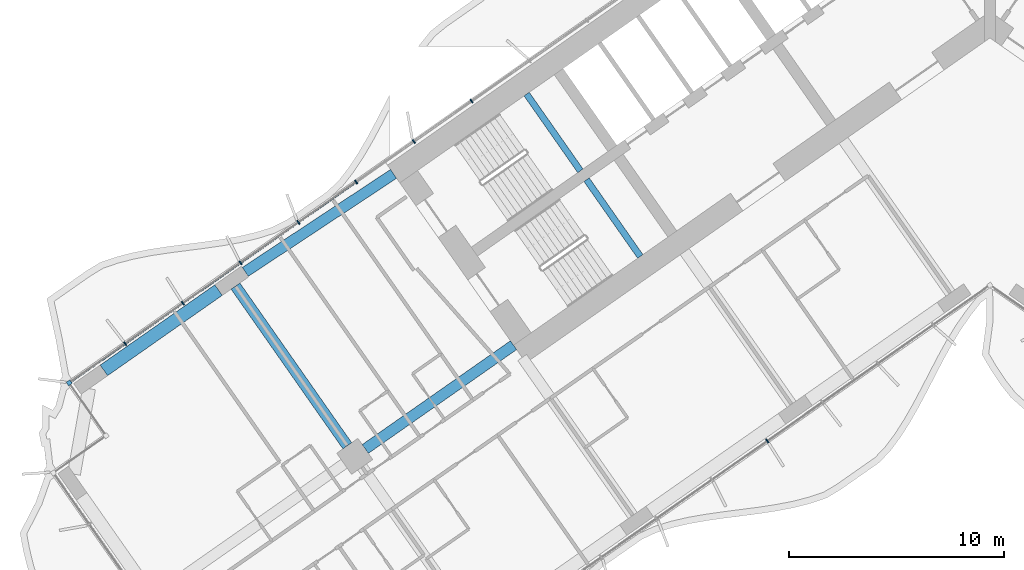
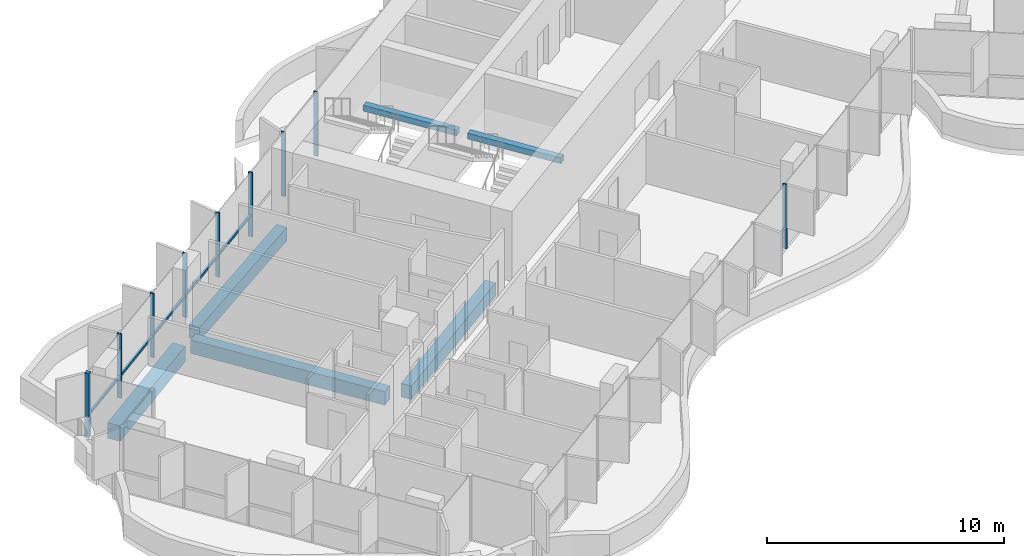
# One storey, part 4 of 24: 10 members, 6 beams, 2 elements without a shape of their own.
"""IFC4 building model written with IfcOpenShell, lengths in metres."""

from ifc_helpers import new_model, si_unit, direction, frame, origin, origin_2d, place, context, subcontext, project, spatial, rectangle, extrude, material, material_profile, profile_set, type_object, element, aggregate, save


model = new_model("IFC4")

# Units and contexts
model_context = context("Model", 3, precision=1e-05, world=origin(), true_north=direction((0.0, 1.0)))
body_context = subcontext(model_context, "Body", "Model", "MODEL_VIEW")
ifc_project = project(units=[si_unit("LENGTHUNIT", "METRE"), si_unit("AREAUNIT", "SQUARE_METRE"), si_unit("VOLUMEUNIT", "CUBIC_METRE"), si_unit("PLANEANGLEUNIT", "RADIAN"), si_unit("MASSUNIT", "GRAM", prefix="KILO")], contexts=[model_context])

# Site, building, storey
site_placement = place(None, origin())
site = spatial("IfcSite", under=ifc_project, at=site_placement, CompositionType="ELEMENT")
building_placement = place(site_placement, origin())
building = spatial("IfcBuilding", under=site, at=building_placement, Name="Tel Ilan Convention Tower", CompositionType="ELEMENT")
storey_placement = place(building_placement, frame((0.0, 0.0, 90.5)))
storey = spatial("IfcBuildingStorey", under=building, at=storey_placement, Name="L18", CompositionType="ELEMENT", Elevation=90.5)

# Beams
ifc_material_1 = material(Name="Concrete C40/50", Category="concrete")
ifc_material_profile_1 = material_profile(ifc_material_1, rectangle(XDim=0.5, YDim=0.699951171875, at=origin_2d()), Name="RC 500x700")
ifc_profile_set_1 = profile_set([ifc_material_profile_1], Name="Concrete C40/50")
beam_type_1 = type_object("IfcBeamType", Name="Beam RC 500x700 Concrete C40/50", PredefinedType="BEAM", material=ifc_profile_set_1)
beam_1_placement = place(storey_placement, frame((-34.570556640625, -12.08447265625, -0.6298828125), z_axis=(0.834273603487, 0.551350663847, 0.0), x_axis=(-0.551350663847, 0.834273603487, 0.0)))
element("IfcBeam", 1, at=beam_1_placement, inside=storey, type_object=beam_type_1, Name="L18 beam W-W-B4-core", PredefinedType="BEAM", context=body_context, shape_type="SweptSolid", body=[
    extrude(rectangle(XDim=0.5, YDim=0.699951171875, at=origin_2d()), origin(), (0.0, 0.0, 1.0), 8.2529296875),
])
beam_2_placement = place(storey_placement, frame((-22.1171875, -15.486572265625, -0.6298828125), z_axis=(-0.819147254605, -0.573583276668, 0.0), x_axis=(0.573583276668, -0.819147254605, 0.0)))
element("IfcBeam", 2, at=beam_2_placement, inside=storey, type_object=beam_type_1, Name="L18 beam W-core-W-M4", PredefinedType="BEAM", context=body_context, shape_type="SweptSolid", body=[
    extrude(rectangle(XDim=0.5, YDim=0.699951171875, at=origin_2d()), origin(), (0.0, 0.0, 1.0), 8.400146484375),
])
beam_3_placement = place(storey_placement, frame((-29.83349609375, -20.1572265625, -0.6298828125), z_axis=(-0.57358002233, 0.819149533348, 0.0), x_axis=(-0.819149533348, -0.57358002233, 0.0)))
element("IfcBeam", 3, at=beam_3_placement, inside=storey, type_object=beam_type_1, Name="L18 beam W-W-M4-W-B4", PredefinedType="BEAM", context=body_context, shape_type="SweptSolid", body=[
    extrude(rectangle(XDim=0.5, YDim=0.699951171875, at=origin_2d()), origin(), (0.0, 0.0, 1.0), 9.050048828125),
])
ifc_material_2 = material(Name="Concrete C40/50", Category="concrete")
ifc_material_profile_2 = material_profile(ifc_material_2, rectangle(XDim=0.60009765625, YDim=0.800048828125, at=origin_2d()), Name="RC 600x800")
ifc_profile_set_2 = profile_set([ifc_material_profile_2], Name="Concrete C40/50")
beam_type_2 = type_object("IfcBeamType", Name="Beam RC 600x800 Concrete C40/50", PredefinedType="BEAM", material=ifc_profile_set_2)
beam_4_placement = place(storey_placement, frame((-41.135498046875, -16.656494140625, -0.679931640625), z_axis=(0.819178980414, 0.573537965655, 0.0), x_axis=(-0.573537965655, 0.819178980414, 0.0)))
element("IfcBeam", 4, at=beam_4_placement, inside=storey, type_object=beam_type_2, Name="L18 beam W-W-BC-W-B4", PredefinedType="BEAM", context=body_context, shape_type="SweptSolid", body=[
    extrude(rectangle(XDim=0.60009765625, YDim=0.800048828125, at=origin_2d()), origin(), (0.0, 0.0, 1.0), 6.5),
])

# Curtain wall, member
ifc_material_3 = material(Name="Aluminium, bronze anodised", Category="aluminium")
curtain_wall_type_1 = type_object("IfcCurtainWallType", Name="CW1 UNITISED CURTAIN WALL, HOTEL TINTED GLASS", PredefinedType="NOTDEFINED", material=ifc_material_3)
curtain_wall_1_placement = place(storey_placement, origin())
curtain_wall_1 = element("IfcCurtainWall", 5, at=curtain_wall_1_placement, inside=storey, type_object=curtain_wall_type_1, Name="Curtain wall CW1-16.02", PredefinedType="NOTDEFINED")
ifc_material_4 = material(Name="Aluminium, bronze anodised", Category="aluminium")
ifc_material_profile_3 = material_profile(ifc_material_4, rectangle(XDim=0.199951171875, YDim=0.199951171875, at=origin_2d()), Name="CW CORNER MULLION 200x200")
ifc_profile_set_3 = profile_set([ifc_material_profile_3], Name="Aluminium, bronze anodised")
member_type_1 = type_object("IfcMemberType", Name="CW CORNER MULLION 200x200", PredefinedType="MULLION", material=ifc_profile_set_3)
member_1_placement = place(storey_placement, frame((-42.7451171875, -17.234375, 0.0), z_axis=(0.0, 0.0, 1.0), x_axis=(-0.819152044289, -0.573576436351, 0.0)))
member_1 = element("IfcMember", 6, at=member_1_placement, type_object=member_type_1, Name="Corner mullion", PredefinedType="MULLION", context=body_context, shape_type="SweptSolid", body=[
    extrude(rectangle(XDim=0.199951171875, YDim=0.199951171875, at=origin_2d()), origin(), (0.0, 0.0, 1.0), 3.320068359375),
])

# Curtain wall, members
ifc_material_5 = material(Name="Aluminium, bronze anodised", Category="aluminium")
curtain_wall_type_2 = type_object("IfcCurtainWallType", Name="CW2 STICK CURTAIN WALL, SPANDREL PANELS", PredefinedType="NOTDEFINED", material=ifc_material_5)
curtain_wall_2_placement = place(storey_placement, origin())
curtain_wall_2 = element("IfcCurtainWall", 7, at=curtain_wall_2_placement, inside=storey, type_object=curtain_wall_type_2, Name="Curtain wall CW2-16.01", PredefinedType="NOTDEFINED")
ifc_material_6 = material(Name="Aluminium, bronze anodised", Category="aluminium")
ifc_material_profile_4 = material_profile(ifc_material_6, rectangle(XDim=0.06005859375, YDim=0.199951171875, at=origin_2d()), Name="CW MULLION 60x200")
ifc_profile_set_4 = profile_set([ifc_material_profile_4], Name="Aluminium, bronze anodised")
member_type_2 = type_object("IfcMemberType", Name="CW MULLION 60x200", PredefinedType="MULLION", material=ifc_profile_set_4)
member_2_placement = place(storey_placement, frame((-24.065185546875, -4.154541015625, 0.0), z_axis=(0.0, 0.0, 1.0), x_axis=(-0.819152044289, -0.573576436351, 0.0)))
member_2 = element("IfcMember", 8, at=member_2_placement, type_object=member_type_2, Name="Mullion", PredefinedType="MULLION", context=body_context, shape_type="SweptSolid", body=[
    extrude(rectangle(XDim=0.06005859375, YDim=0.199951171875, at=origin_2d()), origin(), (0.0, 0.0, 1.0), 3.320068359375),
])
member_3_placement = place(storey_placement, frame((-26.745361328125, -6.03125, 0.0), z_axis=(0.0, 0.0, 1.0), x_axis=(-0.819152044289, -0.573576436351, 0.0)))
member_3 = element("IfcMember", 9, at=member_3_placement, type_object=member_type_2, Name="Mullion", PredefinedType="MULLION", context=body_context, shape_type="SweptSolid", body=[
    extrude(rectangle(XDim=0.06005859375, YDim=0.199951171875, at=origin_2d()), origin(), (0.0, 0.0, 1.0), 3.320068359375),
])
member_4_placement = place(storey_placement, frame((-29.42578125, -7.907958984375, 0.0), z_axis=(0.0, 0.0, 1.0), x_axis=(-0.819152044289, -0.573576436351, 0.0)))
member_4 = element("IfcMember", 10, at=member_4_placement, type_object=member_type_2, Name="Mullion", PredefinedType="MULLION", context=body_context, shape_type="SweptSolid", body=[
    extrude(rectangle(XDim=0.06005859375, YDim=0.199951171875, at=origin_2d()), origin(), (0.0, 0.0, 1.0), 3.320068359375),
])
aggregate(curtain_wall_2, [member_2, member_3, member_4])

# Member
member_5_placement = place(storey_placement, frame((-32.10595703125, -9.78466796875, 0.0), z_axis=(0.0, 0.0, 1.0), x_axis=(-0.819152044289, -0.573576436351, 0.0)))
member_5 = element("IfcMember", 11, at=member_5_placement, type_object=member_type_2, Name="Mullion", PredefinedType="MULLION", context=body_context, shape_type="SweptSolid", body=[
    extrude(rectangle(XDim=0.06005859375, YDim=0.199951171875, at=origin_2d()), origin(), (0.0, 0.0, 1.0), 3.320068359375),
])

member_6_placement = place(storey_placement, frame((-34.7861328125, -11.66162109375, 0.0), z_axis=(0.0, 0.0, 1.0), x_axis=(-0.819152044289, -0.573576436351, 0.0)))
member_6 = element("IfcMember", 12, at=member_6_placement, type_object=member_type_2, Name="Mullion", PredefinedType="MULLION", context=body_context, shape_type="SweptSolid", body=[
    extrude(rectangle(XDim=0.06005859375, YDim=0.199951171875, at=origin_2d()), origin(), (0.0, 0.0, 1.0), 3.320068359375),
])

member_7_placement = place(storey_placement, frame((-37.466552734375, -13.538330078125, 0.0), z_axis=(0.0, 0.0, 1.0), x_axis=(-0.819152044289, -0.573576436351, 0.0)))
member_7 = element("IfcMember", 13, at=member_7_placement, type_object=member_type_2, Name="Mullion", PredefinedType="MULLION", context=body_context, shape_type="SweptSolid", body=[
    extrude(rectangle(XDim=0.06005859375, YDim=0.199951171875, at=origin_2d()), origin(), (0.0, 0.0, 1.0), 3.320068359375),
])

member_8_placement = place(storey_placement, frame((-40.146728515625, -15.4150390625, 0.0), z_axis=(0.0, 0.0, 1.0), x_axis=(-0.819152044289, -0.573576436351, 0.0)))
member_8 = element("IfcMember", 14, at=member_8_placement, type_object=member_type_2, Name="Mullion", PredefinedType="MULLION", context=body_context, shape_type="SweptSolid", body=[
    extrude(rectangle(XDim=0.06005859375, YDim=0.199951171875, at=origin_2d()), origin(), (0.0, 0.0, 1.0), 3.320068359375),
])

member_9_placement = place(storey_placement, frame((-10.337158203125, -19.93408203125, 0.0), z_axis=(0.0, 0.0, 1.0), x_axis=(0.819152044289, 0.573576436351, 0.0)))
member_9 = element("IfcMember", 15, at=member_9_placement, type_object=member_type_2, Name="Mullion", PredefinedType="MULLION", context=body_context, shape_type="SweptSolid", body=[
    extrude(rectangle(XDim=0.06005859375, YDim=0.199951171875, at=origin_2d()), origin(), (0.0, 0.0, 1.0), 3.320068359375),
])

ifc_material_7 = material(Name="Aluminium, bronze anodised", Category="aluminium")
ifc_material_profile_5 = material_profile(ifc_material_7, rectangle(XDim=0.10009765625, YDim=0.1201171875, at=origin_2d()), Name="CW TRANSOM 100x120")
ifc_profile_set_5 = profile_set([ifc_material_profile_5], Name="Aluminium, bronze anodised")
member_type_3 = type_object("IfcMemberType", Name="CW TRANSOM 100x120", PredefinedType="USERDEFINED", material=ifc_profile_set_5)
member_10_placement = place(storey_placement, frame((-29.4501953125, -7.92529296875, 1.10009765625), z_axis=(-0.819153693934, -0.573574080407, 0.0), x_axis=(0.573574080407, -0.819153693934, 0.0)))
member_10 = element("IfcMember", 16, at=member_10_placement, type_object=member_type_3, Name="Transom", ObjectType="TRANSOM", PredefinedType="USERDEFINED", context=body_context, shape_type="SweptSolid", body=[
    extrude(rectangle(XDim=0.10009765625, YDim=0.1201171875, at=origin_2d()), origin(), (0.0, 0.0, 1.0), 16.1298828125),
])

aggregate(curtain_wall_1, [member_5, member_6, member_7, member_8, member_1, member_10, member_9])

# Beams
ifc_material_8 = material(Name="Concrete C40/50", Category="concrete")
ifc_material_profile_6 = material_profile(ifc_material_8, rectangle(XDim=0.300048828125, YDim=0.300048828125, at=origin_2d()), Name="RC 300x300")
ifc_profile_set_6 = profile_set([ifc_material_profile_6], Name="Concrete C40/50")
beam_type_3 = type_object("IfcBeamType", Name="Landing Beam RC 300x300 Concrete C40/50", PredefinedType="BEAM", material=ifc_profile_set_6)
beam_5_placement = place(storey_placement, frame((-19.013671875, -7.392822265625, 1.449951171875), z_axis=(-0.57356780395, 0.819158088694, 0.0), x_axis=(-0.819158088694, -0.57356780395, 0.0)))
element("IfcBeam", 17, at=beam_5_placement, inside=storey, type_object=beam_type_3, Name="S1 landing beam L18.1", PredefinedType="BEAM", context=body_context, shape_type="SweptSolid", body=[
    extrude(rectangle(XDim=0.300048828125, YDim=0.300048828125, at=origin_2d()), origin(), (0.0, 0.0, 1.0), 4.35009765625),
])
beam_6_placement = place(storey_placement, frame((-16.231689453125, -11.365478515625, 1.449951171875), z_axis=(-0.573594173421, 0.819139624372, 0.0), x_axis=(-0.819139624372, -0.573594173421, 0.0)))
element("IfcBeam", 18, at=beam_6_placement, inside=storey, type_object=beam_type_3, Name="S2 landing beam L18.1", PredefinedType="BEAM", context=body_context, shape_type="SweptSolid", body=[
    extrude(rectangle(XDim=0.300048828125, YDim=0.300048828125, at=origin_2d()), origin(), (0.0, 0.0, 1.0), 4.349853515625),
])

save(model, "model.ifc")
